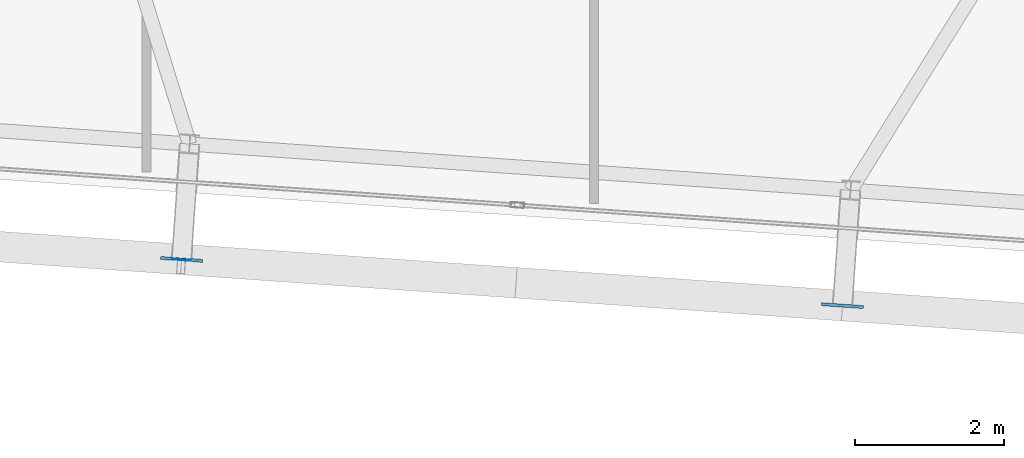
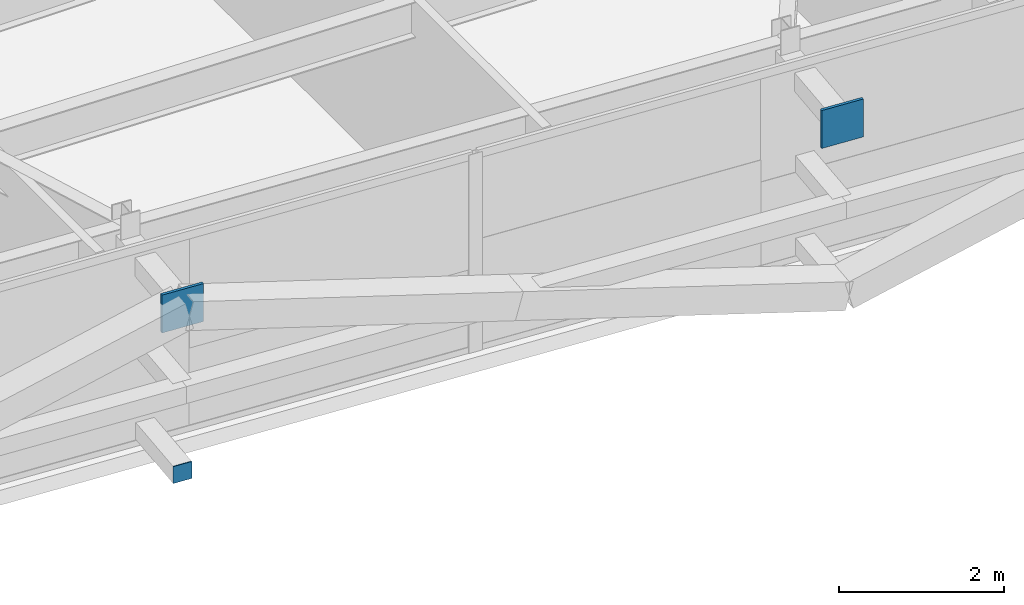
# One storey, part 28 of 39: 3 plates.
"""IFC4 building model written with IfcOpenShell, lengths in metres."""

from ifc_helpers import new_model, si_unit, direction, frame, origin, origin_2d, place, context, subcontext, project, spatial, rectangle, extrude, source, transform, mapped, material, layer, layer_set, type_object, element, save


model = new_model("IFC4")

# Units and contexts
model_context = context("Model", 3, precision=1e-05, world=origin(), true_north=direction((0.0, 1.0)))
body_context = subcontext(model_context, "Body", "Model", "MODEL_VIEW")
ifc_project = project(units=[si_unit("LENGTHUNIT", "METRE"), si_unit("AREAUNIT", "SQUARE_METRE"), si_unit("VOLUMEUNIT", "CUBIC_METRE"), si_unit("PLANEANGLEUNIT", "RADIAN"), si_unit("MASSUNIT", "GRAM", prefix="KILO")], contexts=[model_context])

# Site, building, storey
site_placement = place(None, origin())
site = spatial("IfcSite", under=ifc_project, at=site_placement, CompositionType="ELEMENT")
building_placement = place(site_placement, origin())
building = spatial("IfcBuilding", under=site, at=building_placement, Name="Taldren Reach Tower", CompositionType="ELEMENT")
storey_placement = place(building_placement, frame((0.0, 0.0, 123.550048828125)))
storey = spatial("IfcBuildingStorey", under=building, at=storey_placement, Name="L37", CompositionType="ELEMENT", Elevation=123.550048828125)

# Plates
ifc_material_1 = material(Name="Steel Gr 450 (C450L0)", Category="steel")
ifc_layer_1 = layer(ifc_material_1, 0.0400390625)
ifc_layer_set_1 = layer_set([ifc_layer_1], Name="Steel Gr 450 (C450L0)")
plate_type_1 = type_object("IfcPlateType", Name="PL-GUSSET-40", PredefinedType="SHEET", material=ifc_layer_set_1)
shared_shape_1 = source(origin(), body_context, "Body", "SweptSolid", [
    extrude(rectangle(XDim=0.56005859375, YDim=0.0400390625, at=origin_2d()), origin(), (0.0, 0.0, 1.0), 0.56005859375),
])
for number, where, z_axis, x_axis, name in (
    (1, (29.47216796875, 2.55322265625, 2.369873046875), (0.0, 0.0, 1.0), (0.99756405026, -0.069756473744, 0.0), "Exoskeleton star-node gusset plate B3-S3 L37"),
    (2, (38.33056640625, 1.933837890625, 2.369873046875), (0.0, 0.0, 1.0), (0.99756405026, -0.069756473744, 0.0), "Exoskeleton star-node gusset plate B3-S4 L37"),
):
    element("IfcPlate", number, at=place(storey_placement, frame(where, z_axis=z_axis, x_axis=x_axis)), inside=storey, type_object=plate_type_1, Name=name, PredefinedType="SHEET", context=body_context, shape_type="MappedRepresentation", body=[
        mapped(shared_shape_1, transform((0.0, 0.0, 0.0), scale=1.0)),
    ])
ifc_material_2 = material(Name="Steel Gr 350 (C350L0)", Category="steel")
ifc_layer_2 = layer(ifc_material_2, 0.011962890625)
ifc_layer_set_2 = layer_set([ifc_layer_2], Name="Steel Gr 350 (C350L0)")
plate_type_2 = type_object("IfcPlateType", Name="PL-CAP-250", PredefinedType="SHEET", material=ifc_layer_set_2)
shared_shape_2 = source(origin(), body_context, "Body", "SweptSolid", [
    extrude(rectangle(XDim=0.25, YDim=0.011962890625, at=origin_2d()), origin(), (0.0, 0.0, 1.0), 0.25),
])
plate_placement = place(storey_placement, frame((29.4716796875, 2.54736328125, 0.094970703125), z_axis=(0.0, 0.0, 1.0), x_axis=(0.99756405026, -0.069756473744, 0.0)))
element("IfcPlate", 3, at=plate_placement, inside=storey, type_object=plate_type_2, Name="Tie strut end cap plate B3-S3 L37", PredefinedType="SHEET", context=body_context, shape_type="MappedRepresentation", body=[
    mapped(shared_shape_2, transform((0.0, 0.0, 0.0), scale=1.0)),
])

save(model, "model.ifc")
